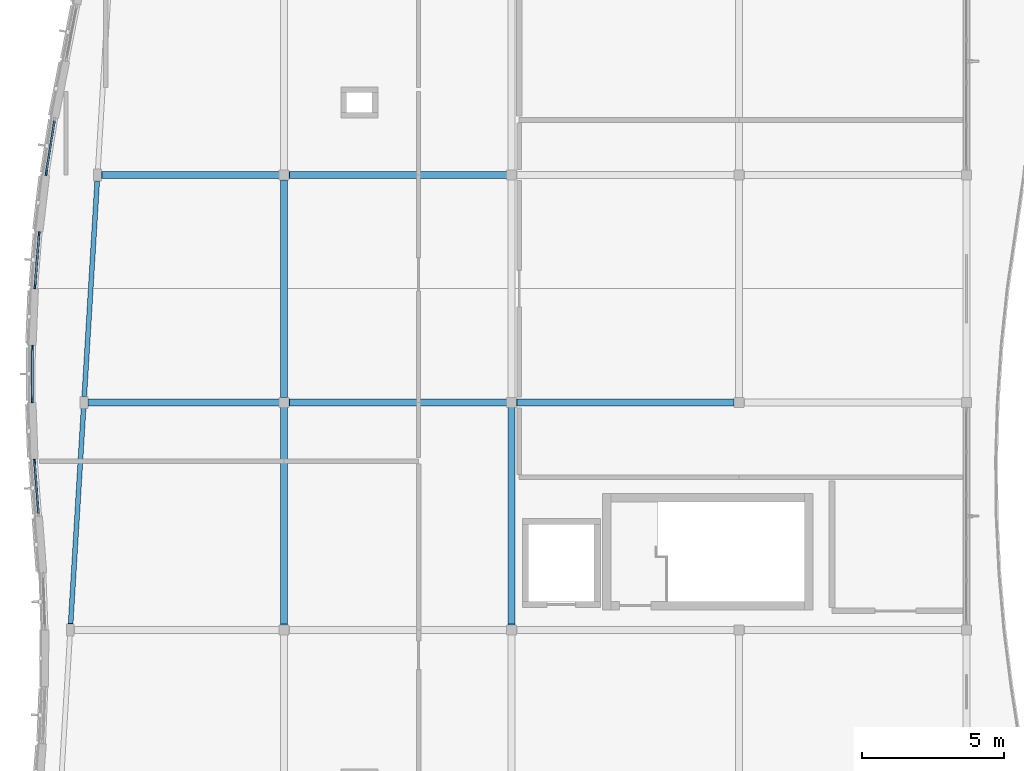
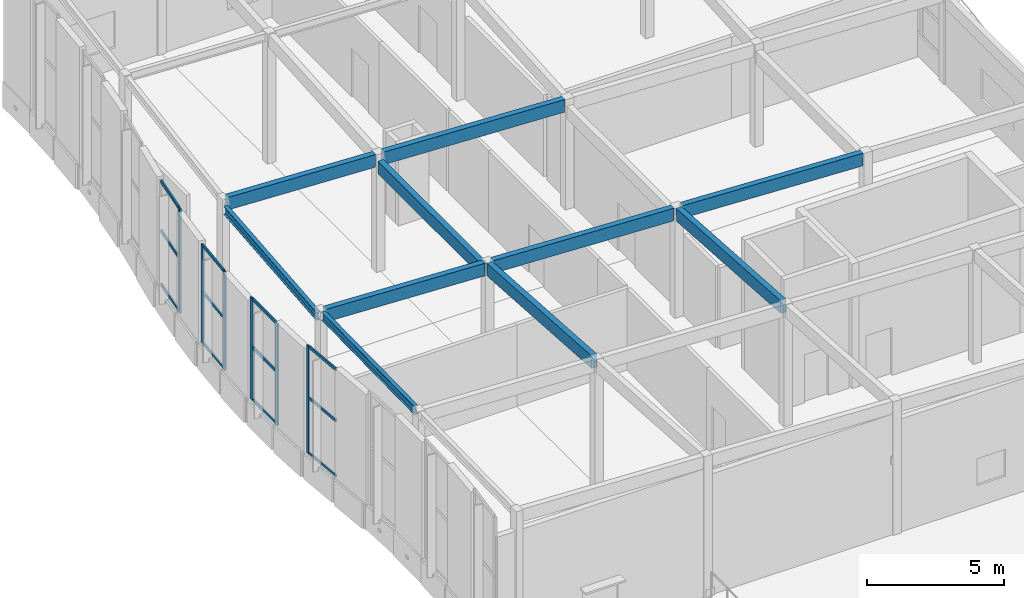
# One storey, part 5 of 52: 18 members, 10 beams, 4 elements without a shape of their own.
"""IFC4 building model written with IfcOpenShell, lengths in metres."""

from ifc_helpers import new_model, si_unit, direction, frame, origin, origin_2d, place, context, subcontext, project, spatial, rectangle, i_section, extrude, material, layer, layer_set, material_profile, profile_set, type_object, element, aggregate, save


model = new_model("IFC4")

# Units and contexts
model_context = context("Model", 3, precision=1e-05, world=origin(), true_north=direction((0.0, 1.0)))
body_context = subcontext(model_context, "Body", "Model", "MODEL_VIEW")
ifc_project = project(units=[si_unit("LENGTHUNIT", "METRE"), si_unit("AREAUNIT", "SQUARE_METRE"), si_unit("VOLUMEUNIT", "CUBIC_METRE"), si_unit("PLANEANGLEUNIT", "RADIAN"), si_unit("MASSUNIT", "GRAM", prefix="KILO")], contexts=[model_context])

# Site, building, storey
site_placement = place(None, origin())
site = spatial("IfcSite", under=ifc_project, at=site_placement, CompositionType="ELEMENT")
building_placement = place(site_placement, origin())
building = spatial("IfcBuilding", under=site, at=building_placement, Name="Tonlespit Floodbar School", CompositionType="ELEMENT")
storey_placement = place(building_placement, frame((0.0, 0.0, 12.300048828125)))
storey = spatial("IfcBuildingStorey", under=building, at=storey_placement, Name="L03", CompositionType="ELEMENT", Elevation=12.300048828125)

# Beams
ifc_material_1 = material(Name="Glulam GL28h", Category="wood")
ifc_material_profile_1 = material_profile(ifc_material_1, rectangle(XDim=0.239990234375, YDim=0.56005859375, at=origin_2d()), Name="GL 240x560")
ifc_profile_set_1 = profile_set([ifc_material_profile_1], Name="Glulam GL28h")
beam_type_1 = type_object("IfcBeamType", Name="Beam_GL_240x560", PredefinedType="BEAM", material=ifc_profile_set_1)
beam_1_placement = place(storey_placement, frame((5.10009765625, 72.0, 5.24365234375), z_axis=(0.999091636901, 0.0, -0.042613390798), x_axis=(0.0, 1.0, 0.0)))
element("IfcBeam", 1, at=beam_1_placement, inside=storey, type_object=beam_type_1, Name="L03 girder 1151", PredefinedType="BEAM", context=body_context, shape_type="SweptSolid", body=[
    extrude(rectangle(XDim=0.239990234375, YDim=0.56005859375, at=origin_2d()), origin(), (0.0, 0.0, 1.0), 6.72607421875),
])
for number, where, z_axis, x_axis, name in (
    (2, (12.179931640625, 72.0, 4.94189453125), (0.999091305073, 0.0, -0.042621169945), (0.0, 1.0, 0.0), "L03 girder 1152"),
    (3, (20.179931640625, 72.0, 4.6005859375), (0.999092664052, 0.0, -0.042589301906), (0.0, 1.0, 0.0), "L03 girder 1153"),
):
    element("IfcBeam", number, at=place(storey_placement, frame(where, z_axis=z_axis, x_axis=x_axis)), inside=storey, type_object=beam_type_1, Name=name, PredefinedType="BEAM", context=body_context, shape_type="SweptSolid", body=[
        extrude(rectangle(XDim=0.239990234375, YDim=0.56005859375, at=origin_2d()), origin(), (0.0, 0.0, 1.0), 7.64697265625),
    ])
beam_2_placement = place(storey_placement, frame((5.580078125, 80.0, 5.233154296875), z_axis=(0.999091879702, 0.0, -0.042607697831), x_axis=(0.0, 1.0, 0.0)))
element("IfcBeam", 4, at=beam_2_placement, inside=storey, type_object=beam_type_1, Name="L03 girder 1155", PredefinedType="BEAM", context=body_context, shape_type="SweptSolid", body=[
    extrude(rectangle(XDim=0.239990234375, YDim=0.56005859375, at=origin_2d()), origin(), (0.0, 0.0, 1.0), 6.24560546875),
])
beam_3_placement = place(storey_placement, frame((12.179931640625, 80.0, 4.95166015625), z_axis=(0.999091305073, 0.0, -0.042621169945), x_axis=(0.0, 1.0, 0.0)))
element("IfcBeam", 5, at=beam_3_placement, inside=storey, type_object=beam_type_1, Name="L03 girder 1156", PredefinedType="BEAM", context=body_context, shape_type="SweptSolid", body=[
    extrude(rectangle(XDim=0.239990234375, YDim=0.56005859375, at=origin_2d()), origin(), (0.0, 0.0, 1.0), 7.64697265625),
])
beam_4_placement = place(storey_placement, frame((12.0, 64.179931640625, 5.467041015625), z_axis=(0.0, 0.99781734868, -0.066034374932), x_axis=(-1.0, 0.0, 0.0)))
element("IfcBeam", 6, at=beam_4_placement, inside=storey, type_object=beam_type_1, Name="L03 girder 1204", PredefinedType="BEAM", context=body_context, shape_type="SweptSolid", body=[
    extrude(rectangle(XDim=0.239990234375, YDim=0.56005859375, at=origin_2d()), origin(), (0.0, 0.0, 1.0), 7.65673828125),
])
beam_5_placement = place(storey_placement, frame((12.0, 72.179931640625, 4.684814453125), z_axis=(0.0, 1.0, 0.0), x_axis=(-1.0, 0.0, 0.0)))
element("IfcBeam", 7, at=beam_5_placement, inside=storey, type_object=beam_type_1, Name="L03 girder 1205", PredefinedType="BEAM", context=body_context, shape_type="SweptSolid", body=[
    extrude(rectangle(XDim=0.239990234375, YDim=0.56005859375, at=origin_2d()), origin(), (0.0, 0.0, 1.0), 7.64013671875),
])
beam_6_placement = place(storey_placement, frame((20.0, 64.179931640625, 5.125732421875), z_axis=(0.0, 0.997819449107, -0.066002628608), x_axis=(-1.0, 0.0, 0.0)))
element("IfcBeam", 8, at=beam_6_placement, inside=storey, type_object=beam_type_1, Name="L03 girder 1209", PredefinedType="BEAM", context=body_context, shape_type="SweptSolid", body=[
    extrude(rectangle(XDim=0.239990234375, YDim=0.56005859375, at=origin_2d()), origin(), (0.0, 0.0, 1.0), 7.65673828125),
])

# Curtain wall, member
ifc_material_2 = material(Name="Anodised Aluminium", Category="aluminium")
ifc_layer_1 = layer(ifc_material_2, 0.159912109375)
ifc_layer_set_1 = layer_set([ifc_layer_1], Name="Anodised Aluminium")
curtain_wall_type_1 = type_object("IfcCurtainWallType", Name="CurtainWall_1950x4800", PredefinedType="NOTDEFINED", material=ifc_layer_set_1)
curtain_wall_1_placement = place(storey_placement, origin())
curtain_wall_1 = element("IfcCurtainWall", 9, at=curtain_wall_1_placement, inside=storey, type_object=curtain_wall_type_1, Name="L03 unitised curtain wall 0302", PredefinedType="NOTDEFINED")
ifc_material_profile_2 = material_profile(ifc_material_2, rectangle(XDim=0.06494140625, YDim=0.14990234375, at=origin_2d()), Name="ALU M65x150")
ifc_profile_set_2 = profile_set([ifc_material_profile_2], Name="Anodised Aluminium")
member_type_1 = type_object("IfcMemberType", Name="CW_Mullion_65x150", PredefinedType="MULLION", material=ifc_profile_set_2)
member_1_placement = place(storey_placement, frame((3.2236328125, 69.927734375, 0.949951171875), z_axis=(0.0, 0.0, 1.0), x_axis=(-0.997129753565, -0.075711654028, 0.0)))
member_1 = element("IfcMember", 10, at=member_1_placement, type_object=member_type_1, Name="CW-41 mullion 2", PredefinedType="MULLION", context=body_context, shape_type="SweptSolid", body=[
    extrude(rectangle(XDim=0.06494140625, YDim=0.14990234375, at=origin_2d()), origin(), (0.0, 0.0, 1.0), 4.81640625),
])

# Curtain wall, members
ifc_layer_2 = layer(ifc_material_2, 0.159912109375)
ifc_layer_set_2 = layer_set([ifc_layer_2], Name="Anodised Aluminium")
curtain_wall_type_2 = type_object("IfcCurtainWallType", Name="CurtainWall_1950x4400", PredefinedType="NOTDEFINED", material=ifc_layer_set_2)
curtain_wall_2_placement = place(storey_placement, origin())
curtain_wall_2 = element("IfcCurtainWall", 11, at=curtain_wall_2_placement, inside=storey, type_object=curtain_wall_type_2, Name="L03 unitised curtain wall 0304", PredefinedType="NOTDEFINED")
member_2_placement = place(storey_placement, frame((3.236572265625, 76.072265625, 0.949951171875), z_axis=(0.0, 0.0, 1.0), x_axis=(-0.996877534245, 0.078963166836, 0.0)))
member_2 = element("IfcMember", 12, at=member_2_placement, type_object=member_type_1, Name="CW-43 mullion 1", PredefinedType="MULLION", context=body_context, shape_type="SweptSolid", body=[
    extrude(rectangle(XDim=0.06494140625, YDim=0.14990234375, at=origin_2d()), origin(), (0.0, 0.0, 1.0), 4.418701171875),
])
member_3_placement = place(storey_placement, frame((3.383544921875, 77.927734375, 0.949951171875), z_axis=(0.0, 0.0, 1.0), x_axis=(-0.996877534245, 0.078963166836, 0.0)))
member_3 = element("IfcMember", 13, at=member_3_placement, type_object=member_type_1, Name="CW-43 mullion 2", PredefinedType="MULLION", context=body_context, shape_type="SweptSolid", body=[
    extrude(rectangle(XDim=0.06494140625, YDim=0.14990234375, at=origin_2d()), origin(), (0.0, 0.0, 1.0), 4.418701171875),
])

ifc_layer_3 = layer(ifc_material_2, 0.159912109375)
ifc_layer_set_3 = layer_set([ifc_layer_3], Name="Anodised Aluminium")
curtain_wall_type_3 = type_object("IfcCurtainWallType", Name="CurtainWall_1900x4550", PredefinedType="NOTDEFINED", material=ifc_layer_set_3)
curtain_wall_3_placement = place(storey_placement, origin())
curtain_wall_3 = element("IfcCurtainWall", 14, at=curtain_wall_3_placement, inside=storey, type_object=curtain_wall_type_3, Name="L03 unitised curtain wall 0303", PredefinedType="NOTDEFINED")
ifc_material_profile_3 = material_profile(ifc_material_2, rectangle(XDim=0.06494140625, YDim=0.179931640625, at=origin_2d()), Name="ALU M65x180")
ifc_profile_set_3 = profile_set([ifc_material_profile_3], Name="Anodised Aluminium")
member_type_2 = type_object("IfcMemberType", Name="CW_Mullion_65x180", PredefinedType="MULLION", material=ifc_profile_set_3)
member_4_placement = place(storey_placement, frame((3.145263671875, 72.072509765625, 0.949951171875), z_axis=(0.0, 0.0, 1.0), x_axis=(-0.99999760743, 0.00218749477, 0.0)))
member_4 = element("IfcMember", 15, at=member_4_placement, type_object=member_type_2, Name="CW-42 mullion 1", PredefinedType="MULLION", context=body_context, shape_type="SweptSolid", body=[
    extrude(rectangle(XDim=0.06494140625, YDim=0.179931640625, at=origin_2d()), origin(), (0.0, 0.0, 1.0), 4.5546875),
])
member_5_placement = place(storey_placement, frame((3.149169921875, 73.927490234375, 0.949951171875), z_axis=(0.0, 0.0, 1.0), x_axis=(-0.99999760743, 0.00218749477, 0.0)))
member_5 = element("IfcMember", 16, at=member_5_placement, type_object=member_type_2, Name="CW-42 mullion 2", PredefinedType="MULLION", context=body_context, shape_type="SweptSolid", body=[
    extrude(rectangle(XDim=0.06494140625, YDim=0.179931640625, at=origin_2d()), origin(), (0.0, 0.0, 1.0), 4.5546875),
])

# Curtain wall, member
ifc_layer_4 = layer(ifc_material_2, 0.159912109375)
ifc_layer_set_4 = layer_set([ifc_layer_4], Name="Anodised Aluminium")
curtain_wall_type_4 = type_object("IfcCurtainWallType", Name="CurtainWall_1950x4700", PredefinedType="NOTDEFINED", material=ifc_layer_set_4)
curtain_wall_4_placement = place(storey_placement, origin())
curtain_wall_4 = element("IfcCurtainWall", 17, at=curtain_wall_4_placement, inside=storey, type_object=curtain_wall_type_4, Name="L03 unitised curtain wall 0305", PredefinedType="NOTDEFINED")
member_6_placement = place(storey_placement, frame((3.63623046875, 80.071533203125, 0.949951171875), z_axis=(0.0, 0.0, 1.0), x_axis=(-0.987961482869, 0.154700059367, 0.0)))
member_6 = element("IfcMember", 18, at=member_6_placement, type_object=member_type_2, Name="CW-44 mullion 1", PredefinedType="MULLION", context=body_context, shape_type="SweptSolid", body=[
    extrude(rectangle(XDim=0.06494140625, YDim=0.179931640625, at=origin_2d()), origin(), (0.0, 0.0, 1.0), 4.676513671875),
])

# Member
ifc_material_profile_4 = material_profile(ifc_material_2, rectangle(XDim=0.06494140625, YDim=0.1201171875, at=origin_2d()), Name="ALU T65x120")
ifc_profile_set_4 = profile_set([ifc_material_profile_4], Name="Anodised Aluminium")
member_type_3 = type_object("IfcMemberType", Name="CW_Transom_65x120", PredefinedType="USERDEFINED", material=ifc_profile_set_4)
member_7_placement = place(storey_placement, frame((3.362060546875, 68.104736328125, 0.982421875), z_axis=(-0.075729549468, 0.99712839461, 0.0), x_axis=(-0.99712839461, -0.075729549468, 0.0)))
member_7 = element("IfcMember", 19, at=member_7_placement, type_object=member_type_3, Name="CW-41 transom 1.1", ObjectType="TRANSOM", PredefinedType="USERDEFINED", context=body_context, shape_type="SweptSolid", body=[
    extrude(rectangle(XDim=0.06494140625, YDim=0.1201171875, at=origin_2d()), origin(), (0.0, 0.0, 1.0), 1.795654296875),
])

member_8_placement = place(storey_placement, frame((3.362060546875, 68.104736328125, 3.454345703125), z_axis=(-0.075729549468, 0.99712839461, 0.0), x_axis=(-0.99712839461, -0.075729549468, 0.0)))
member_8 = element("IfcMember", 20, at=member_8_placement, type_object=member_type_3, Name="CW-41 transom 1.2", ObjectType="TRANSOM", PredefinedType="USERDEFINED", context=body_context, shape_type="SweptSolid", body=[
    extrude(rectangle(XDim=0.06494140625, YDim=0.1201171875, at=origin_2d()), origin(), (0.0, 0.0, 1.0), 1.795654296875),
])

member_9_placement = place(storey_placement, frame((3.362060546875, 68.104736328125, 5.73388671875), z_axis=(-0.075729549468, 0.99712839461, 0.0), x_axis=(-0.99712839461, -0.075729549468, 0.0)))
member_9 = element("IfcMember", 21, at=member_9_placement, type_object=member_type_3, Name="CW-41 transom 1.3", ObjectType="TRANSOM", PredefinedType="USERDEFINED", context=body_context, shape_type="SweptSolid", body=[
    extrude(rectangle(XDim=0.06494140625, YDim=0.1201171875, at=origin_2d()), origin(), (0.0, 0.0, 1.0), 1.795654296875),
])

aggregate(curtain_wall_1, [member_1, member_7, member_8, member_9])

member_10_placement = place(storey_placement, frame((3.2392578125, 76.104736328125, 0.982421875), z_axis=(0.078972649437, 0.996876783079, 0.0), x_axis=(-0.996876783079, 0.078972649437, 0.0)))
member_10 = element("IfcMember", 22, at=member_10_placement, type_object=member_type_3, Name="CW-43 transom 1.1", ObjectType="TRANSOM", PredefinedType="USERDEFINED", context=body_context, shape_type="SweptSolid", body=[
    extrude(rectangle(XDim=0.06494140625, YDim=0.1201171875, at=origin_2d()), origin(), (0.0, 0.0, 1.0), 1.796142578125),
])

member_11_placement = place(storey_placement, frame((3.2392578125, 76.104736328125, 3.247802734375), z_axis=(0.078972649437, 0.996876783079, 0.0), x_axis=(-0.996876783079, 0.078972649437, 0.0)))
member_11 = element("IfcMember", 23, at=member_11_placement, type_object=member_type_3, Name="CW-43 transom 1.2", ObjectType="TRANSOM", PredefinedType="USERDEFINED", context=body_context, shape_type="SweptSolid", body=[
    extrude(rectangle(XDim=0.06494140625, YDim=0.1201171875, at=origin_2d()), origin(), (0.0, 0.0, 1.0), 1.796142578125),
])

member_12_placement = place(storey_placement, frame((3.2392578125, 76.104736328125, 5.336181640625), z_axis=(0.078972649437, 0.996876783079, 0.0), x_axis=(-0.996876783079, 0.078972649437, 0.0)))
member_12 = element("IfcMember", 24, at=member_12_placement, type_object=member_type_3, Name="CW-43 transom 1.3", ObjectType="TRANSOM", PredefinedType="USERDEFINED", context=body_context, shape_type="SweptSolid", body=[
    extrude(rectangle(XDim=0.06494140625, YDim=0.1201171875, at=origin_2d()), origin(), (0.0, 0.0, 1.0), 1.796142578125),
])

aggregate(curtain_wall_2, [member_2, member_3, member_10, member_11, member_12])

ifc_material_profile_5 = material_profile(ifc_material_2, rectangle(XDim=0.06494140625, YDim=0.139892578125, at=origin_2d()), Name="ALU T65x140")
ifc_profile_set_5 = profile_set([ifc_material_profile_5], Name="Anodised Aluminium")
member_type_4 = type_object("IfcMemberType", Name="CW_Transom_65x140", PredefinedType="USERDEFINED", material=ifc_profile_set_5)
member_13_placement = place(storey_placement, frame((3.145263671875, 72.10498046875, 0.982421875), z_axis=(0.002182209752, 0.999997618977, 0.0), x_axis=(-0.999997618977, 0.002182209752, 0.0)))
member_13 = element("IfcMember", 25, at=member_13_placement, type_object=member_type_4, Name="CW-42 transom 1.1", ObjectType="TRANSOM", PredefinedType="USERDEFINED", context=body_context, shape_type="SweptSolid", body=[
    extrude(rectangle(XDim=0.06494140625, YDim=0.139892578125, at=origin_2d()), origin(), (0.0, 0.0, 1.0), 1.7900390625),
])

member_14_placement = place(storey_placement, frame((3.145263671875, 72.10498046875, 3.318359375), z_axis=(0.002182209752, 0.999997618977, 0.0), x_axis=(-0.999997618977, 0.002182209752, 0.0)))
member_14 = element("IfcMember", 26, at=member_14_placement, type_object=member_type_4, Name="CW-42 transom 1.2", ObjectType="TRANSOM", PredefinedType="USERDEFINED", context=body_context, shape_type="SweptSolid", body=[
    extrude(rectangle(XDim=0.06494140625, YDim=0.139892578125, at=origin_2d()), origin(), (0.0, 0.0, 1.0), 1.7900390625),
])

member_15_placement = place(storey_placement, frame((3.145263671875, 72.10498046875, 5.47216796875), z_axis=(0.002182209752, 0.999997618977, 0.0), x_axis=(-0.999997618977, 0.002182209752, 0.0)))
member_15 = element("IfcMember", 27, at=member_15_placement, type_object=member_type_4, Name="CW-42 transom 1.3", ObjectType="TRANSOM", PredefinedType="USERDEFINED", context=body_context, shape_type="SweptSolid", body=[
    extrude(rectangle(XDim=0.06494140625, YDim=0.139892578125, at=origin_2d()), origin(), (0.0, 0.0, 1.0), 1.7900390625),
])

aggregate(curtain_wall_3, [member_4, member_5, member_13, member_14, member_15])

member_16_placement = place(storey_placement, frame((3.641357421875, 80.103759765625, 0.982421875), z_axis=(0.154614961854, 0.987974804117, 0.0), x_axis=(-0.987974804117, 0.154614961854, 0.0)))
member_16 = element("IfcMember", 28, at=member_16_placement, type_object=member_type_4, Name="CW-44 transom 1.1", ObjectType="TRANSOM", PredefinedType="USERDEFINED", context=body_context, shape_type="SweptSolid", body=[
    extrude(rectangle(XDim=0.06494140625, YDim=0.139892578125, at=origin_2d()), origin(), (0.0, 0.0, 1.0), 1.814208984375),
])

member_17_placement = place(storey_placement, frame((3.641357421875, 80.103759765625, 3.3818359375), z_axis=(0.154614961854, 0.987974804117, 0.0), x_axis=(-0.987974804117, 0.154614961854, 0.0)))
member_17 = element("IfcMember", 29, at=member_17_placement, type_object=member_type_4, Name="CW-44 transom 1.2", ObjectType="TRANSOM", PredefinedType="USERDEFINED", context=body_context, shape_type="SweptSolid", body=[
    extrude(rectangle(XDim=0.06494140625, YDim=0.139892578125, at=origin_2d()), origin(), (0.0, 0.0, 1.0), 1.814208984375),
])

member_18_placement = place(storey_placement, frame((3.641357421875, 80.103759765625, 5.593994140625), z_axis=(0.154614961854, 0.987974804117, 0.0), x_axis=(-0.987974804117, 0.154614961854, 0.0)))
member_18 = element("IfcMember", 30, at=member_18_placement, type_object=member_type_4, Name="CW-44 transom 1.3", ObjectType="TRANSOM", PredefinedType="USERDEFINED", context=body_context, shape_type="SweptSolid", body=[
    extrude(rectangle(XDim=0.06494140625, YDim=0.139892578125, at=origin_2d()), origin(), (0.0, 0.0, 1.0), 1.814208984375),
])

aggregate(curtain_wall_4, [member_6, member_16, member_17, member_18])

# Beams
ifc_material_3 = material(Name="Steel S355", Category="steel")
ifc_material_profile_6 = material_profile(ifc_material_3, i_section(OverallWidth=0.169921875, OverallDepth=0.360107421875, WebThickness=0.008056640625, FlangeThickness=0.0126953125, at=origin_2d()), Name="IPE 360")
ifc_profile_set_6 = profile_set([ifc_material_profile_6], Name="Steel S355")
beam_type_2 = type_object("IfcBeamType", Name="Spandrel_STL_IPE360", PredefinedType="SPANDREL", material=ifc_profile_set_6)
beam_7_placement = place(storey_placement, frame((4.49267578125, 64.209716796875, 5.88525390625), z_axis=(0.059751842532, 0.995864042203, -0.068443602772), x_axis=(-0.998204845466, 0.059892290728, 0.0)))
element("IfcBeam", 31, at=beam_7_placement, inside=storey, type_object=beam_type_2, Name="L03 splayed edge spandrel 1244", PredefinedType="SPANDREL", context=body_context, shape_type="SweptSolid", body=[
    extrude(i_section(OverallWidth=0.169921875, OverallDepth=0.360107421875, WebThickness=0.008056640625, FlangeThickness=0.0126953125, at=origin_2d()), origin(), (0.0, 0.0, 1.0), 7.612060546875),
])
beam_8_placement = place(storey_placement, frame((4.97265625, 72.209716796875, 5.07470703125), z_axis=(0.059892290728, 0.998204845466, 0.0), x_axis=(-0.998204845466, 0.059892290728, 0.0)))
element("IfcBeam", 32, at=beam_8_placement, inside=storey, type_object=beam_type_2, Name="L03 splayed edge spandrel 1245", PredefinedType="SPANDREL", context=body_context, shape_type="SweptSolid", body=[
    extrude(i_section(OverallWidth=0.169921875, OverallDepth=0.360107421875, WebThickness=0.008056640625, FlangeThickness=0.0126953125, at=origin_2d()), origin(), (0.0, 0.0, 1.0), 7.59423828125),
])

save(model, "model.ifc")
